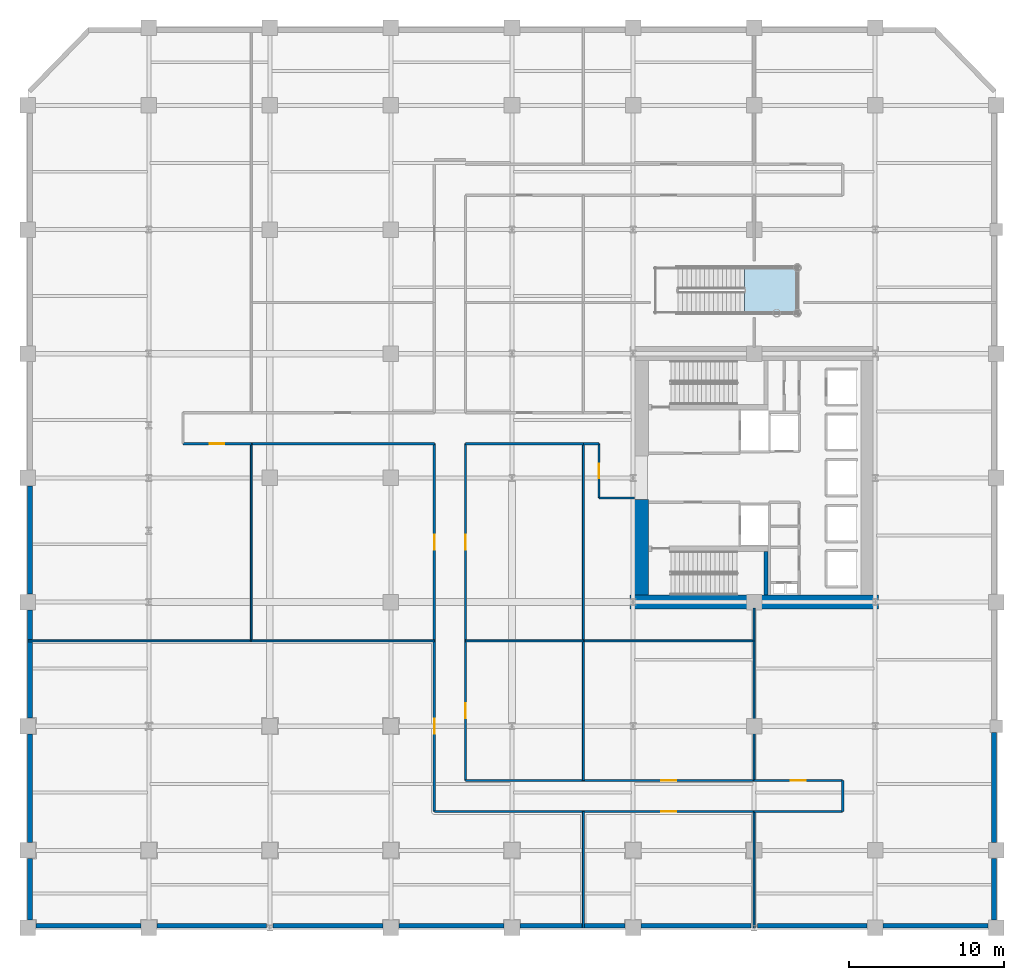
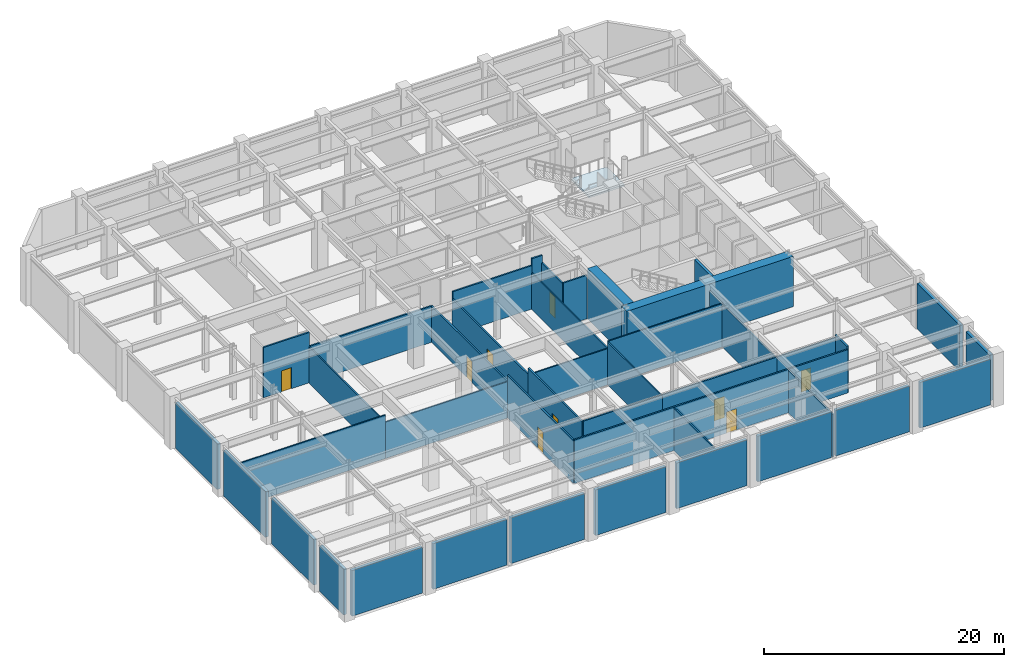
# One storey, part 7 of 12: 45 walls, 9 doors, 1 slab, 9 openings, 1 element without a shape of its own.
"""IFC4 building model written with IfcOpenShell, lengths in metres."""

from ifc_helpers import new_model, si_unit, direction, frame, frame_2d, origin, place, context, subcontext, project, spatial, polyline, rectangle, outline, extrude, material, layer, layer_set, type_object, element, fill, aggregate, save


model = new_model("IFC4")

# Units and contexts
model_context = context("Model", 3, precision=1e-05, world=origin(), true_north=direction((0.0, 1.0)))
body_context = subcontext(model_context, "Body", "Model", "MODEL_VIEW")
ifc_project = project(units=[si_unit("LENGTHUNIT", "METRE"), si_unit("AREAUNIT", "SQUARE_METRE"), si_unit("VOLUMEUNIT", "CUBIC_METRE"), si_unit("PLANEANGLEUNIT", "RADIAN"), si_unit("MASSUNIT", "GRAM", prefix="KILO")], contexts=[model_context])

# Site, building, storey
site_placement = place(None, origin())
site = spatial("IfcSite", under=ifc_project, at=site_placement, CompositionType="ELEMENT")
building_placement = place(site_placement, origin())
building = spatial("IfcBuilding", under=site, at=building_placement, Name="Veymaron Broadcast Tower", CompositionType="ELEMENT")
storey_placement = place(building_placement, frame((0.0, 0.0, 10.800048828125)))
storey = spatial("IfcBuildingStorey", under=building, at=storey_placement, Name="L02", CompositionType="ELEMENT", Elevation=10.800048828125)

# Stair, slab
ifc_material_1 = material(Name="Structural steel ASTM A992 Gr 50", Category="steel")
stair_type = type_object("IfcStairType", Name="STAIR-FEAT-01", PredefinedType="HALF_TURN_STAIR", material=ifc_material_1)
stair_placement = place(storey_placement, origin())
stair = element("IfcStair", 1, at=stair_placement, inside=storey, type_object=stair_type, Name="L02 Waterfront concourse monumental feature stair STF1", PredefinedType="HALF_TURN_STAIR")
ifc_material_2 = material(Name="Concrete C50/60", Category="concrete")
ifc_layer_1 = layer(ifc_material_2, 0.199951171875)
ifc_layer_set_1 = layer_set([ifc_layer_1], Name="Concrete C50/60")
slab_type = type_object("IfcSlabType", Name="SLAB-STAIR-LDG", PredefinedType="LANDING", material=ifc_layer_set_1)
slab_placement = place(storey_placement, frame((0.0, 0.0, 2.5)))
slab = element("IfcSlab", 2, at=slab_placement, type_object=slab_type, Name="STF1 landing 1", PredefinedType="LANDING", context=body_context, shape_type="SweptSolid", body=[
    extrude(outline(polyline([(46.175048828125, 34.60009765625), (49.60009765625, 34.60009765625), (49.60009765625, 37.56005859375), (46.175048828125, 37.56005859375), (46.175048828125, 34.60009765625)])), origin(), (0.0, 0.0, 1.0), 0.199951171875),
])
aggregate(stair, [slab])

# Walls
ifc_material_3 = material(Name="Precast concrete C40/50 with mineral-wool insulation", Category="concrete")
ifc_layer_2 = layer(ifc_material_3, 0.300048828125)
ifc_layer_set_2 = layer_set([ifc_layer_2], Name="Precast concrete C40/50 with mineral-wool insulation")
wall_type_1 = type_object("IfcWallType", Name="WALL-EXT-300", PredefinedType="STANDARD", material=ifc_layer_set_2)
wall_1_placement = place(storey_placement, frame((0.51806640625, -4.860107421875, 0.0), z_axis=(0.0, 0.0, 1.0), x_axis=(1.0, 0.0, 0.0)))
element("IfcWall", 3, at=wall_1_placement, inside=storey, type_object=wall_type_1, Name="L02 notched corner facade pier 1-1", PredefinedType="STANDARD", context=body_context, shape_type="SweptSolid", body=[
    extrude(rectangle(XDim=6.763916015625, YDim=0.300048828125, at=frame_2d((3.3818359375, 0.0))), origin(), (0.0, 0.0, 1.0), 4.64794921875),
])
wall_2_placement = place(storey_placement, frame((8.318115234375, -4.860107421875, 0.0), z_axis=(0.0, 0.0, 1.0), x_axis=(1.0, 0.0, 0.0)))
element("IfcWall", 4, at=wall_2_placement, inside=storey, type_object=wall_type_1, Name="L02 notched corner facade pier 1-2", PredefinedType="STANDARD", context=body_context, shape_type="SweptSolid", body=[
    extrude(rectangle(XDim=7.078857421875, YDim=0.300048828125, at=frame_2d((3.53955078125, 0.0))), origin(), (0.0, 0.0, 1.0), 4.64794921875),
])
wall_3_placement = place(storey_placement, frame((15.802978515625, -4.860107421875, 0.0), z_axis=(0.0, 0.0, 1.0), x_axis=(1.0, 0.0, 0.0)))
element("IfcWall", 5, at=wall_3_placement, inside=storey, type_object=wall_type_1, Name="L02 notched corner facade pier 1-3", PredefinedType="STANDARD", context=body_context, shape_type="SweptSolid", body=[
    extrude(rectangle(XDim=7.0791015625, YDim=0.300048828125, at=frame_2d((3.53955078125, 0.0))), origin(), (0.0, 0.0, 1.0), 4.64794921875),
])
for number, where, z_axis, x_axis, name in (
    (6, (23.91796875, -4.860107421875, 0.0), (0.0, 0.0, 1.0), (1.0, 0.0, 0.0), "L02 notched corner facade pier 1-4"),
    (7, (31.718017578125, -4.860107421875, 0.0), (0.0, 0.0, 1.0), (1.0, 0.0, 0.0), "L02 notched corner facade pier 1-5"),
):
    element("IfcWall", number, at=place(storey_placement, frame(where, z_axis=z_axis, x_axis=x_axis)), inside=storey, type_object=wall_type_1, Name=name, PredefinedType="STANDARD", context=body_context, shape_type="SweptSolid", body=[
        extrude(rectangle(XDim=6.763916015625, YDim=0.300048828125, at=frame_2d((3.3818359375, 0.0))), origin(), (0.0, 0.0, 1.0), 4.64794921875),
    ])
wall_4_placement = place(storey_placement, frame((39.51806640625, -4.860107421875, 0.0), z_axis=(0.0, 0.0, 1.0), x_axis=(1.0, 0.0, 0.0)))
element("IfcWall", 8, at=wall_4_placement, inside=storey, type_object=wall_type_1, Name="L02 notched corner facade pier 1-6", PredefinedType="STANDARD", context=body_context, shape_type="SweptSolid", body=[
    extrude(rectangle(XDim=7.078857421875, YDim=0.300048828125, at=frame_2d((3.53955078125, 0.0))), origin(), (0.0, 0.0, 1.0), 4.64794921875),
])
wall_5_placement = place(storey_placement, frame((47.0029296875, -4.860107421875, 0.0), z_axis=(0.0, 0.0, 1.0), x_axis=(1.0, 0.0, 0.0)))
element("IfcWall", 9, at=wall_5_placement, inside=storey, type_object=wall_type_1, Name="L02 notched corner facade pier 1-7", PredefinedType="STANDARD", context=body_context, shape_type="SweptSolid", body=[
    extrude(rectangle(XDim=7.0791015625, YDim=0.300048828125, at=frame_2d((3.53955078125, 0.0))), origin(), (0.0, 0.0, 1.0), 4.64794921875),
])
wall_6_placement = place(storey_placement, frame((55.117919921875, -4.860107421875, 0.0), z_axis=(0.0, 0.0, 1.0), x_axis=(1.0, 0.0, 0.0)))
element("IfcWall", 10, at=wall_6_placement, inside=storey, type_object=wall_type_1, Name="L02 notched corner facade pier 1-8", PredefinedType="STANDARD", context=body_context, shape_type="SweptSolid", body=[
    extrude(rectangle(XDim=6.76416015625, YDim=0.300048828125, at=frame_2d((3.382080078125, 0.0))), origin(), (0.0, 0.0, 1.0), 4.64794921875),
])
wall_7_placement = place(storey_placement, frame((62.260009765625, -4.48193359375, 0.0), z_axis=(0.0, 0.0, 1.0), x_axis=(0.0, 1.0, 0.0)))
element("IfcWall", 11, at=wall_7_placement, inside=storey, type_object=wall_type_1, Name="L02 notched corner facade pier 2-1", PredefinedType="STANDARD", context=body_context, shape_type="SweptSolid", body=[
    extrude(rectangle(XDim=3.9638671875, YDim=0.300048828125, at=frame_2d((1.98193359375, 0.0))), origin(), (0.0, 0.0, 1.0), 4.64794921875),
])
wall_8_placement = place(storey_placement, frame((62.260009765625, 0.51806640625, 0.0), z_axis=(0.0, 0.0, 1.0), x_axis=(0.0, 1.0, 0.0)))
element("IfcWall", 12, at=wall_8_placement, inside=storey, type_object=wall_type_1, Name="L02 notched corner facade pier 2-2", PredefinedType="STANDARD", context=body_context, shape_type="SweptSolid", body=[
    extrude(rectangle(XDim=7.06396484375, YDim=0.300048828125, at=frame_2d((3.531982421875, 0.0))), origin(), (0.0, 0.0, 1.0), 4.64794921875),
])
for number, where, z_axis, x_axis, name in (
    (13, (0.139892578125, 23.48193359375, 0.0), (0.0, 0.0, 1.0), (0.0, -1.0, 0.0), "L02 notched corner facade pier 6-4"),
    (14, (0.139892578125, 15.48193359375, 0.0), (0.0, 0.0, 1.0), (0.0, -1.0, 0.0), "L02 notched corner facade pier 6-5"),
    (15, (0.139892578125, 7.48193359375, 0.0), (0.0, 0.0, 1.0), (0.0, -1.0, 0.0), "L02 notched corner facade pier 6-6"),
):
    element("IfcWall", number, at=place(storey_placement, frame(where, z_axis=z_axis, x_axis=x_axis)), inside=storey, type_object=wall_type_1, Name=name, PredefinedType="STANDARD", context=body_context, shape_type="SweptSolid", body=[
        extrude(rectangle(XDim=6.9638671875, YDim=0.300048828125, at=frame_2d((3.48193359375, 0.0))), origin(), (0.0, 0.0, 1.0), 4.64794921875),
    ])
wall_9_placement = place(storey_placement, frame((0.139892578125, -0.51806640625, 0.0), z_axis=(0.0, 0.0, 1.0), x_axis=(0.0, -1.0, 0.0)))
element("IfcWall", 16, at=wall_9_placement, inside=storey, type_object=wall_type_1, Name="L02 notched corner facade pier 6-7", PredefinedType="STANDARD", context=body_context, shape_type="SweptSolid", body=[
    extrude(rectangle(XDim=3.9638671875, YDim=0.300048828125, at=frame_2d((1.98193359375, 0.0))), origin(), (0.0, 0.0, 1.0), 4.64794921875),
])

# Wall, opening, door
ifc_material_4 = material(Name="Gypsum fireboard and steel stud framing", Category="steel")
ifc_layer_3 = layer(ifc_material_4, 0.14990234375)
ifc_layer_set_3 = layer_set([ifc_layer_3], Name="Gypsum fireboard and steel stud framing")
wall_type_2 = type_object("IfcWallType", Name="WALL-FIRE-150", PredefinedType="PARTITIONING", material=ifc_layer_set_3)
wall_10_placement = place(storey_placement, frame((35.800048828125, 2.5, 0.0), z_axis=(0.0, 0.0, 1.0), x_axis=(1.0, 0.0, 0.0)))
wall_10 = element("IfcWall", 17, at=wall_10_placement, inside=storey, type_object=wall_type_2, Name="L02 partition IW-L02-P01", PredefinedType="PARTITIONING", context=body_context, shape_type="SweptSolid", body=[
    extrude(rectangle(XDim=11.0, YDim=0.14990234375, at=frame_2d((5.5, 0.0))), origin(), (0.0, 0.0, 1.0), 4.4150390625),
])
opening_1_placement = place(wall_10_placement, frame((5.02490234375, 0.0, 0.0)))
opening_1 = element("IfcOpeningElement", 18, at=opening_1_placement, cuts=wall_10, Name="Opening ID-RM1", PredefinedType="OPENING", context=body_context, shape_type="SweptSolid", body=[
    extrude(rectangle(XDim=0.949951171875, YDim=2.14990234375, at=frame_2d((0.47509765625, 1.074951171875))), frame((0.0, 0.0849609375, 0.0), z_axis=(0.0, -1.0, 0.0), x_axis=(1.0, 0.0, 0.0)), (0.0, 0.0, 1.0), 0.169921875),
])
ifc_material_5 = material(Name="Acoustic solid-core European oak veneer timber", Category="wood")
door_type = type_object("IfcDoorType", Name="DOOR-INT-950", OperationType="NOTDEFINED", PredefinedType="DOOR", material=ifc_material_5)
door_1_placement = place(opening_1_placement, frame((0.949951171875, 0.0, 0.0), z_axis=(0.0, 0.0, 1.0), x_axis=(-1.0, 0.0, 0.0)))
door_1 = element("IfcDoor", 19, at=door_1_placement, inside=storey, type_object=door_type, Name="L02 door DR-L02-P01", OperationType="SINGLE_SWING_RIGHT", OverallHeight=2.14990234375, OverallWidth=0.949951171875, PredefinedType="DOOR", context=body_context, shape_type="SweptSolid", body=[
    extrude(rectangle(XDim=0.949951171875, YDim=2.14990234375, at=frame_2d((0.47509765625, 1.074951171875))), frame((0.0, 0.02490234375, 0.0), z_axis=(0.0, -1.0, 0.0), x_axis=(1.0, 0.0, 0.0)), (0.0, 0.0, 1.0), 0.050048828125),
])
fill(opening_1, door_1)

wall_11_placement = place(storey_placement, frame((26.199951171875, 2.5, 0.0), z_axis=(0.0, 0.0, 1.0), x_axis=(0.0, 1.0, 0.0)))
wall_11 = element("IfcWall", 20, at=wall_11_placement, inside=storey, type_object=wall_type_2, Name="L02 partition IW-L02-P02", PredefinedType="PARTITIONING", context=body_context, shape_type="SweptSolid", body=[
    extrude(rectangle(XDim=11.0, YDim=0.14990234375, at=frame_2d((5.5, 0.0))), origin(), (0.0, 0.0, 1.0), 4.337890625),
])
opening_2_placement = place(wall_11_placement, frame((5.02490234375, 0.0, 0.0)))
opening_2 = element("IfcOpeningElement", 21, at=opening_2_placement, cuts=wall_11, Name="Opening ID-RM1", PredefinedType="OPENING", context=body_context, shape_type="SweptSolid", body=[
    extrude(rectangle(XDim=0.949951171875, YDim=2.14990234375, at=frame_2d((0.47509765625, 1.074951171875))), frame((0.0, 0.0849609375, 0.0), z_axis=(0.0, -1.0, 0.0), x_axis=(1.0, 0.0, 0.0)), (0.0, 0.0, 1.0), 0.169921875),
])
door_2_placement = place(opening_2_placement, origin())
door_2 = element("IfcDoor", 22, at=door_2_placement, inside=storey, type_object=door_type, Name="L02 door DR-L02-P02", OperationType="SINGLE_SWING_LEFT", OverallHeight=2.14990234375, OverallWidth=0.949951171875, PredefinedType="DOOR", context=body_context, shape_type="SweptSolid", body=[
    extrude(rectangle(XDim=0.949951171875, YDim=2.14990234375, at=frame_2d((0.47509765625, 1.074951171875))), frame((0.0, 0.02490234375, 0.0), z_axis=(0.0, -1.0, 0.0), x_axis=(1.0, 0.0, 0.0)), (0.0, 0.0, 1.0), 0.050048828125),
])
fill(opening_2, door_2)

wall_12_placement = place(storey_placement, frame((28.199951171875, 4.5, 0.0), z_axis=(0.0, 0.0, 1.0), x_axis=(0.0, 1.0, 0.0)))
wall_12 = element("IfcWall", 23, at=wall_12_placement, inside=storey, type_object=wall_type_2, Name="L02 partition IW-L02-P04", PredefinedType="PARTITIONING", context=body_context, shape_type="SweptSolid", body=[
    extrude(rectangle(XDim=9.0, YDim=0.14990234375, at=frame_2d((4.5, 0.0))), origin(), (0.0, 0.0, 1.0), 4.337890625),
])
opening_3_placement = place(wall_12_placement, frame((4.02490234375, 0.0, 0.0)))
opening_3 = element("IfcOpeningElement", 24, at=opening_3_placement, cuts=wall_12, Name="Opening ID-RM1", PredefinedType="OPENING", context=body_context, shape_type="SweptSolid", body=[
    extrude(rectangle(XDim=0.949951171875, YDim=2.14990234375, at=frame_2d((0.47509765625, 1.074951171875))), frame((0.0, 0.0849609375, 0.0), z_axis=(0.0, -1.0, 0.0), x_axis=(1.0, 0.0, 0.0)), (0.0, 0.0, 1.0), 0.169921875),
])
door_3_placement = place(opening_3_placement, frame((0.949951171875, 0.0, 0.0), z_axis=(0.0, 0.0, 1.0), x_axis=(-1.0, 0.0, 0.0)))
door_3 = element("IfcDoor", 25, at=door_3_placement, inside=storey, type_object=door_type, Name="L02 door DR-L02-P04", OperationType="SINGLE_SWING_LEFT", OverallHeight=2.14990234375, OverallWidth=0.949951171875, PredefinedType="DOOR", context=body_context, shape_type="SweptSolid", body=[
    extrude(rectangle(XDim=0.949951171875, YDim=2.14990234375, at=frame_2d((0.47509765625, 1.074951171875))), frame((0.0, 0.02490234375, 0.0), z_axis=(0.0, -1.0, 0.0), x_axis=(1.0, 0.0, 0.0)), (0.0, 0.0, 1.0), 0.050048828125),
])
fill(opening_3, door_3)

wall_13_placement = place(storey_placement, frame((35.800048828125, 4.5, 0.0), z_axis=(0.0, 0.0, 1.0), x_axis=(1.0, 0.0, 0.0)))
wall_13 = element("IfcWall", 26, at=wall_13_placement, inside=storey, type_object=wall_type_2, Name="L02 partition IW-L02-P06", PredefinedType="PARTITIONING", context=body_context, shape_type="SweptSolid", body=[
    extrude(rectangle(XDim=11.0, YDim=0.14990234375, at=frame_2d((5.5, 0.0))), origin(), (0.0, 0.0, 1.0), 4.4150390625),
])
opening_4_placement = place(wall_13_placement, frame((5.02490234375, 0.0, 0.0)))
opening_4 = element("IfcOpeningElement", 27, at=opening_4_placement, cuts=wall_13, Name="Opening ID-RM1", PredefinedType="OPENING", context=body_context, shape_type="SweptSolid", body=[
    extrude(rectangle(XDim=0.949951171875, YDim=2.14990234375, at=frame_2d((0.47509765625, 1.074951171875))), frame((0.0, 0.0849609375, 0.0), z_axis=(0.0, -1.0, 0.0), x_axis=(1.0, 0.0, 0.0)), (0.0, 0.0, 1.0), 0.169921875),
])
door_4_placement = place(opening_4_placement, origin())
door_4 = element("IfcDoor", 28, at=door_4_placement, inside=storey, type_object=door_type, Name="L02 door DR-L02-P06", OperationType="SINGLE_SWING_LEFT", OverallHeight=2.14990234375, OverallWidth=0.949951171875, PredefinedType="DOOR", context=body_context, shape_type="SweptSolid", body=[
    extrude(rectangle(XDim=0.949951171875, YDim=2.14990234375, at=frame_2d((0.47509765625, 1.074951171875))), frame((0.0, 0.02490234375, 0.0), z_axis=(0.0, -1.0, 0.0), x_axis=(1.0, 0.0, 0.0)), (0.0, 0.0, 1.0), 0.050048828125),
])
fill(opening_4, door_4)

wall_14_placement = place(storey_placement, frame((46.800048828125, 4.5, 0.0), z_axis=(0.0, 0.0, 1.0), x_axis=(1.0, 0.0, 0.0)))
wall_14 = element("IfcWall", 29, at=wall_14_placement, inside=storey, type_object=wall_type_2, Name="L02 partition IW-L02-P07", PredefinedType="PARTITIONING", context=body_context, shape_type="SweptSolid", body=[
    extrude(rectangle(XDim=5.699951171875, YDim=0.14990234375, at=frame_2d((2.85009765625, 0.0))), origin(), (0.0, 0.0, 1.0), 4.4150390625),
])
opening_5_placement = place(wall_14_placement, frame((2.375, 0.0, 0.0)))
opening_5 = element("IfcOpeningElement", 30, at=opening_5_placement, cuts=wall_14, Name="Opening ID-RM1", PredefinedType="OPENING", context=body_context, shape_type="SweptSolid", body=[
    extrude(rectangle(XDim=0.949951171875, YDim=2.14990234375, at=frame_2d((0.47509765625, 1.074951171875))), frame((0.0, 0.0849609375, 0.0), z_axis=(0.0, -1.0, 0.0), x_axis=(1.0, 0.0, 0.0)), (0.0, 0.0, 1.0), 0.169921875),
])
door_5_placement = place(opening_5_placement, origin())
door_5 = element("IfcDoor", 31, at=door_5_placement, inside=storey, type_object=door_type, Name="L02 door DR-L02-P07", OperationType="SINGLE_SWING_RIGHT", OverallHeight=2.14990234375, OverallWidth=0.949951171875, PredefinedType="DOOR", context=body_context, shape_type="SweptSolid", body=[
    extrude(rectangle(XDim=0.949951171875, YDim=2.14990234375, at=frame_2d((0.47509765625, 1.074951171875))), frame((0.0, 0.02490234375, 0.0), z_axis=(0.0, -1.0, 0.0), x_axis=(1.0, 0.0, 0.0)), (0.0, 0.0, 1.0), 0.050048828125),
])
fill(opening_5, door_5)

wall_15_placement = place(storey_placement, frame((36.800048828125, 22.699951171875, 0.0), z_axis=(0.0, 0.0, 1.0), x_axis=(0.0, 1.0, 0.0)))
wall_15 = element("IfcWall", 32, at=wall_15_placement, inside=storey, type_object=wall_type_2, Name="L02 partition IW-L02-P10", PredefinedType="PARTITIONING", context=body_context, shape_type="SweptSolid", body=[
    extrude(rectangle(XDim=3.5, YDim=0.14990234375, at=frame_2d((1.75, 0.0))), origin(), (0.0, 0.0, 1.0), 4.337890625),
])
opening_6_placement = place(wall_15_placement, frame((1.27490234375, 0.0, 0.0)))
opening_6 = element("IfcOpeningElement", 33, at=opening_6_placement, cuts=wall_15, Name="Opening ID-RM1", PredefinedType="OPENING", context=body_context, shape_type="SweptSolid", body=[
    extrude(rectangle(XDim=0.949951171875, YDim=2.14990234375, at=frame_2d((0.47509765625, 1.074951171875))), frame((0.0, 0.0849609375, 0.0), z_axis=(0.0, -1.0, 0.0), x_axis=(1.0, 0.0, 0.0)), (0.0, 0.0, 1.0), 0.169921875),
])
door_6_placement = place(opening_6_placement, origin())
door_6 = element("IfcDoor", 34, at=door_6_placement, inside=storey, type_object=door_type, Name="L02 door DR-L02-P10", OperationType="SINGLE_SWING_LEFT", OverallHeight=2.14990234375, OverallWidth=0.949951171875, PredefinedType="DOOR", context=body_context, shape_type="SweptSolid", body=[
    extrude(rectangle(XDim=0.949951171875, YDim=2.14990234375, at=frame_2d((0.47509765625, 1.074951171875))), frame((0.0, 0.02490234375, 0.0), z_axis=(0.0, -1.0, 0.0), x_axis=(1.0, 0.0, 0.0)), (0.0, 0.0, 1.0), 0.050048828125),
])
fill(opening_6, door_6)

wall_16_placement = place(storey_placement, frame((26.199951171875, 13.5, 0.0), z_axis=(0.0, 0.0, 1.0), x_axis=(0.0, 1.0, 0.0)))
wall_16 = element("IfcWall", 35, at=wall_16_placement, inside=storey, type_object=wall_type_2, Name="L02 partition IW-L02-P13", PredefinedType="PARTITIONING", context=body_context, shape_type="SweptSolid", body=[
    extrude(rectangle(XDim=12.699951171875, YDim=0.14990234375, at=frame_2d((6.35009765625, 0.0))), origin(), (0.0, 0.0, 1.0), 3.68798828125),
])
opening_7_placement = place(wall_16_placement, frame((5.875, 0.0, 0.0)))
opening_7 = element("IfcOpeningElement", 36, at=opening_7_placement, cuts=wall_16, Name="Opening ID-RM1", PredefinedType="OPENING", context=body_context, shape_type="SweptSolid", body=[
    extrude(rectangle(XDim=0.949951171875, YDim=2.14990234375, at=frame_2d((0.47509765625, 1.074951171875))), frame((0.0, 0.0849609375, 0.0), z_axis=(0.0, -1.0, 0.0), x_axis=(1.0, 0.0, 0.0)), (0.0, 0.0, 1.0), 0.169921875),
])
door_7_placement = place(opening_7_placement, origin())
door_7 = element("IfcDoor", 37, at=door_7_placement, inside=storey, type_object=door_type, Name="L02 door DR-L02-P13", OperationType="SINGLE_SWING_RIGHT", OverallHeight=2.14990234375, OverallWidth=0.949951171875, PredefinedType="DOOR", context=body_context, shape_type="SweptSolid", body=[
    extrude(rectangle(XDim=0.949951171875, YDim=2.14990234375, at=frame_2d((0.47509765625, 1.074951171875))), frame((0.0, 0.02490234375, 0.0), z_axis=(0.0, -1.0, 0.0), x_axis=(1.0, 0.0, 0.0)), (0.0, 0.0, 1.0), 0.050048828125),
])
fill(opening_7, door_7)

wall_17_placement = place(storey_placement, frame((28.199951171875, 13.5, 0.0), z_axis=(0.0, 0.0, 1.0), x_axis=(0.0, 1.0, 0.0)))
wall_17 = element("IfcWall", 38, at=wall_17_placement, inside=storey, type_object=wall_type_2, Name="L02 partition IW-L02-P15", PredefinedType="PARTITIONING", context=body_context, shape_type="SweptSolid", body=[
    extrude(rectangle(XDim=12.699951171875, YDim=0.14990234375, at=frame_2d((6.35009765625, 0.0))), origin(), (0.0, 0.0, 1.0), 3.68798828125),
])
opening_8_placement = place(wall_17_placement, frame((5.875, 0.0, 0.0)))
opening_8 = element("IfcOpeningElement", 39, at=opening_8_placement, cuts=wall_17, Name="Opening ID-RM1", PredefinedType="OPENING", context=body_context, shape_type="SweptSolid", body=[
    extrude(rectangle(XDim=0.949951171875, YDim=2.14990234375, at=frame_2d((0.47509765625, 1.074951171875))), frame((0.0, 0.0849609375, 0.0), z_axis=(0.0, -1.0, 0.0), x_axis=(1.0, 0.0, 0.0)), (0.0, 0.0, 1.0), 0.169921875),
])
door_8_placement = place(opening_8_placement, frame((0.949951171875, 0.0, 0.0), z_axis=(0.0, 0.0, 1.0), x_axis=(-1.0, 0.0, 0.0)))
door_8 = element("IfcDoor", 40, at=door_8_placement, inside=storey, type_object=door_type, Name="L02 door DR-L02-P15", OperationType="SINGLE_SWING_RIGHT", OverallHeight=2.14990234375, OverallWidth=0.949951171875, PredefinedType="DOOR", context=body_context, shape_type="SweptSolid", body=[
    extrude(rectangle(XDim=0.949951171875, YDim=2.14990234375, at=frame_2d((0.47509765625, 1.074951171875))), frame((0.0, 0.02490234375, 0.0), z_axis=(0.0, -1.0, 0.0), x_axis=(1.0, 0.0, 0.0)), (0.0, 0.0, 1.0), 0.050048828125),
])
fill(opening_8, door_8)

wall_18_placement = place(storey_placement, frame((10.0, 26.199951171875, 0.0), z_axis=(0.0, 0.0, 1.0), x_axis=(1.0, 0.0, 0.0)))
wall_18 = element("IfcWall", 41, at=wall_18_placement, inside=storey, type_object=wall_type_2, Name="L02 partition IW-L02-P22", PredefinedType="PARTITIONING", context=body_context, shape_type="SweptSolid", body=[
    extrude(rectangle(XDim=4.39990234375, YDim=0.14990234375, at=frame_2d((2.199951171875, 0.0))), origin(), (0.0, 0.0, 1.0), 5.119873046875),
])
opening_9_placement = place(wall_18_placement, frame((1.72509765625, 0.0, 0.0)))
opening_9 = element("IfcOpeningElement", 42, at=opening_9_placement, cuts=wall_18, Name="Opening ID-RM1", PredefinedType="OPENING", context=body_context, shape_type="SweptSolid", body=[
    extrude(rectangle(XDim=0.949951171875, YDim=2.14990234375, at=frame_2d((0.47509765625, 1.074951171875))), frame((0.0, 0.0849609375, 0.0), z_axis=(0.0, -1.0, 0.0), x_axis=(1.0, 0.0, 0.0)), (0.0, 0.0, 1.0), 0.169921875),
])
door_9_placement = place(opening_9_placement, frame((0.949951171875, 0.0, 0.0), z_axis=(0.0, 0.0, 1.0), x_axis=(-1.0, 0.0, 0.0)))
door_9 = element("IfcDoor", 43, at=door_9_placement, inside=storey, type_object=door_type, Name="L02 door DR-L02-P22", OperationType="SINGLE_SWING_LEFT", OverallHeight=2.14990234375, OverallWidth=0.949951171875, PredefinedType="DOOR", context=body_context, shape_type="SweptSolid", body=[
    extrude(rectangle(XDim=0.949951171875, YDim=2.14990234375, at=frame_2d((0.47509765625, 1.074951171875))), frame((0.0, 0.02490234375, 0.0), z_axis=(0.0, -1.0, 0.0), x_axis=(1.0, 0.0, 0.0)), (0.0, 0.0, 1.0), 0.050048828125),
])
fill(opening_9, door_9)

# Walls
wall_19_placement = place(storey_placement, frame((26.199951171875, 2.5, 0.0), z_axis=(0.0, 0.0, 1.0), x_axis=(1.0, 0.0, 0.0)))
element("IfcWall", 44, at=wall_19_placement, inside=storey, type_object=wall_type_2, Name="L02 partition IW-L02-P03", PredefinedType="PARTITIONING", context=body_context, shape_type="SweptSolid", body=[
    extrude(rectangle(XDim=9.60009765625, YDim=0.14990234375, at=frame_2d((4.800048828125, 0.0))), origin(), (0.0, 0.0, 1.0), 4.4150390625),
])
wall_20_placement = place(storey_placement, frame((28.199951171875, 4.5, 0.0), z_axis=(0.0, 0.0, 1.0), x_axis=(1.0, 0.0, 0.0)))
element("IfcWall", 45, at=wall_20_placement, inside=storey, type_object=wall_type_2, Name="L02 partition IW-L02-P05", PredefinedType="PARTITIONING", context=body_context, shape_type="SweptSolid", body=[
    extrude(rectangle(XDim=7.60009765625, YDim=0.14990234375, at=frame_2d((3.800048828125, 0.0))), origin(), (0.0, 0.0, 1.0), 4.4150390625),
])
wall_21_placement = place(storey_placement, frame((46.800048828125, 2.5, 0.0), z_axis=(0.0, 0.0, 1.0), x_axis=(1.0, 0.0, 0.0)))
element("IfcWall", 46, at=wall_21_placement, inside=storey, type_object=wall_type_2, Name="L02 partition IW-L02-P08", PredefinedType="PARTITIONING", context=body_context, shape_type="SweptSolid", body=[
    extrude(rectangle(XDim=5.699951171875, YDim=0.14990234375, at=frame_2d((2.85009765625, 0.0))), origin(), (0.0, 0.0, 1.0), 4.4150390625),
])
wall_22_placement = place(storey_placement, frame((52.5, 2.5, 0.0), z_axis=(0.0, 0.0, 1.0), x_axis=(0.0, 1.0, 0.0)))
element("IfcWall", 47, at=wall_22_placement, inside=storey, type_object=wall_type_2, Name="L02 partition IW-L02-P09", PredefinedType="PARTITIONING", context=body_context, shape_type="SweptSolid", body=[
    extrude(rectangle(XDim=2.0, YDim=0.14990234375, at=frame_2d((1.0, 0.0))), origin(), (0.0, 0.0, 1.0), 4.700927734375),
])
wall_23_placement = place(storey_placement, frame((36.800048828125, 22.699951171875, 0.0), z_axis=(0.0, 0.0, 1.0), x_axis=(1.0, 0.0, 0.0)))
element("IfcWall", 48, at=wall_23_placement, inside=storey, type_object=wall_type_2, Name="L02 partition IW-L02-P11", PredefinedType="PARTITIONING", context=body_context, shape_type="SweptSolid", body=[
    extrude(rectangle(XDim=2.280029296875, YDim=0.14990234375, at=frame_2d((1.14013671875, 0.0))), origin(), (0.0, 0.0, 1.0), 4.4150390625),
])
wall_24_placement = place(storey_placement, frame((35.800048828125, 26.199951171875, 0.0), z_axis=(0.0, 0.0, 1.0), x_axis=(1.0, 0.0, 0.0)))
element("IfcWall", 49, at=wall_24_placement, inside=storey, type_object=wall_type_2, Name="L02 partition IW-L02-P12", PredefinedType="PARTITIONING", context=body_context, shape_type="SweptSolid", body=[
    extrude(rectangle(XDim=1.0, YDim=0.14990234375, at=frame_2d((0.5, 0.0))), origin(), (0.0, 0.0, 1.0), 5.119873046875),
])
wall_25_placement = place(storey_placement, frame((14.39990234375, 26.199951171875, 0.0), z_axis=(0.0, 0.0, 1.0), x_axis=(1.0, 0.0, 0.0)))
element("IfcWall", 50, at=wall_25_placement, inside=storey, type_object=wall_type_2, Name="L02 partition IW-L02-P14", PredefinedType="PARTITIONING", context=body_context, shape_type="SweptSolid", body=[
    extrude(rectangle(XDim=11.800048828125, YDim=0.14990234375, at=frame_2d((5.89990234375, 0.0))), origin(), (0.0, 0.0, 1.0), 3.68798828125),
])
wall_26_placement = place(storey_placement, frame((28.199951171875, 26.199951171875, 0.0), z_axis=(0.0, 0.0, 1.0), x_axis=(1.0, 0.0, 0.0)))
element("IfcWall", 51, at=wall_26_placement, inside=storey, type_object=wall_type_2, Name="L02 partition IW-L02-P16", PredefinedType="PARTITIONING", context=body_context, shape_type="SweptSolid", body=[
    extrude(rectangle(XDim=7.60009765625, YDim=0.14990234375, at=frame_2d((3.800048828125, 0.0))), origin(), (0.0, 0.0, 1.0), 4.4150390625),
])
ifc_material_6 = material(Name="Acoustic gypsum board and galvanized stud", Category="gypsum")
ifc_layer_4 = layer(ifc_material_6, 0.1201171875)
ifc_layer_set_4 = layer_set([ifc_layer_4], Name="Acoustic gypsum board and galvanized stud")
wall_type_3 = type_object("IfcWallType", Name="WALL-PART-120", PredefinedType="PARTITIONING", material=ifc_layer_set_4)
for number, where, z_axis, x_axis, name in (
    (52, (35.800048828125, -5.0, 0.0), (0.0, 0.0, 1.0), (0.0, 1.0, 0.0), "L02 partition IW-L02-P35"),
    (53, (46.800048828125, -5.0, 0.0), (0.0, 0.0, 1.0), (0.0, 1.0, 0.0), "L02 partition IW-L02-P36"),
):
    element("IfcWall", number, at=place(storey_placement, frame(where, z_axis=z_axis, x_axis=x_axis)), inside=storey, type_object=wall_type_3, Name=name, PredefinedType="PARTITIONING", context=body_context, shape_type="SweptSolid", body=[
        extrude(rectangle(XDim=7.5, YDim=0.1201171875, at=frame_2d((3.75, 0.0))), origin(), (0.0, 0.0, 1.0), 4.337890625),
    ])
wall_27_placement = place(storey_placement, frame((14.39990234375, 13.5, 0.0), z_axis=(0.0, 0.0, 1.0), x_axis=(1.0, 0.0, 0.0)))
element("IfcWall", 54, at=wall_27_placement, inside=storey, type_object=wall_type_3, Name="L02 partition IW-L02-P37", PredefinedType="PARTITIONING", context=body_context, shape_type="SweptSolid", body=[
    extrude(rectangle(XDim=11.800048828125, YDim=0.1201171875, at=frame_2d((5.89990234375, 0.0))), origin(), (0.0, 0.0, 1.0), 3.68798828125),
])
wall_28_placement = place(storey_placement, frame((0.0, 13.5, 0.0), z_axis=(0.0, 0.0, 1.0), x_axis=(1.0, 0.0, 0.0)))
element("IfcWall", 55, at=wall_28_placement, inside=storey, type_object=wall_type_3, Name="L02 partition IW-L02-P38", PredefinedType="PARTITIONING", context=body_context, shape_type="SweptSolid", body=[
    extrude(rectangle(XDim=14.39990234375, YDim=0.1201171875, at=frame_2d((7.199951171875, 0.0))), origin(), (0.0, 0.0, 1.0), 4.4150390625),
])
wall_29_placement = place(storey_placement, frame((35.800048828125, 4.5, 0.0), z_axis=(0.0, 0.0, 1.0), x_axis=(0.0, 1.0, 0.0)))
element("IfcWall", 56, at=wall_29_placement, inside=storey, type_object=wall_type_3, Name="L02 partition IW-L02-P39", PredefinedType="PARTITIONING", context=body_context, shape_type="SweptSolid", body=[
    extrude(rectangle(XDim=9.0, YDim=0.1201171875, at=frame_2d((4.5, 0.0))), origin(), (0.0, 0.0, 1.0), 4.337890625),
])
wall_30_placement = place(storey_placement, frame((28.199951171875, 13.5, 0.0), z_axis=(0.0, 0.0, 1.0), x_axis=(1.0, 0.0, 0.0)))
element("IfcWall", 57, at=wall_30_placement, inside=storey, type_object=wall_type_3, Name="L02 partition IW-L02-P40", PredefinedType="PARTITIONING", context=body_context, shape_type="SweptSolid", body=[
    extrude(rectangle(XDim=7.60009765625, YDim=0.1201171875, at=frame_2d((3.800048828125, 0.0))), origin(), (0.0, 0.0, 1.0), 3.68798828125),
])
wall_31_placement = place(storey_placement, frame((46.800048828125, 4.5, 0.0), z_axis=(0.0, 0.0, 1.0), x_axis=(0.0, 1.0, 0.0)))
element("IfcWall", 58, at=wall_31_placement, inside=storey, type_object=wall_type_3, Name="L02 partition IW-L02-P41", PredefinedType="PARTITIONING", context=body_context, shape_type="SweptSolid", body=[
    extrude(rectangle(XDim=9.0, YDim=0.1201171875, at=frame_2d((4.5, 0.0))), origin(), (0.0, 0.0, 1.0), 4.337890625),
])
wall_32_placement = place(storey_placement, frame((35.800048828125, 13.5, 0.0), z_axis=(0.0, 0.0, 1.0), x_axis=(1.0, 0.0, 0.0)))
element("IfcWall", 59, at=wall_32_placement, inside=storey, type_object=wall_type_3, Name="L02 partition IW-L02-P42", PredefinedType="PARTITIONING", context=body_context, shape_type="SweptSolid", body=[
    extrude(rectangle(XDim=11.0, YDim=0.1201171875, at=frame_2d((5.5, 0.0))), origin(), (0.0, 0.0, 1.0), 4.4150390625),
])
wall_33_placement = place(storey_placement, frame((46.800048828125, 13.5, 0.0), z_axis=(0.0, 0.0, 1.0), x_axis=(0.0, 1.0, 0.0)))
element("IfcWall", 60, at=wall_33_placement, inside=storey, type_object=wall_type_3, Name="L02 partition IW-L02-P43", PredefinedType="PARTITIONING", context=body_context, shape_type="SweptSolid", body=[
    extrude(rectangle(XDim=2.10009765625, YDim=0.1201171875, at=frame_2d((1.050048828125, 0.0))), origin(), (0.0, 0.0, 1.0), 4.4150390625),
])
for number, where, z_axis, x_axis, name in (
    (61, (35.800048828125, 13.5, 0.0), (0.0, 0.0, 1.0), (0.0, 1.0, 0.0), "L02 partition IW-L02-P46"),
    (62, (14.39990234375, 13.5, 0.0), (0.0, 0.0, 1.0), (0.0, 1.0, 0.0), "L02 partition IW-L02-P47"),
):
    element("IfcWall", number, at=place(storey_placement, frame(where, z_axis=z_axis, x_axis=x_axis)), inside=storey, type_object=wall_type_3, Name=name, PredefinedType="PARTITIONING", context=body_context, shape_type="SweptSolid", body=[
        extrude(rectangle(XDim=12.699951171875, YDim=0.1201171875, at=frame_2d((6.35009765625, 0.0))), origin(), (0.0, 0.0, 1.0), 3.68798828125),
    ])
ifc_layer_5 = layer(ifc_material_2, 0.25)
ifc_layer_set_5 = layer_set([ifc_layer_5], Name="Concrete C50/60")
wall_type_4 = type_object("IfcWallType", Name="WALL-SHEAR-250", PredefinedType="SHEAR", material=ifc_layer_set_5)
wall_34_placement = place(storey_placement, frame((47.56494140625, 16.449951171875, 0.0), z_axis=(0.0, 0.0, 1.0), x_axis=(0.0, 1.0, 0.0)))
element("IfcWall", 63, at=wall_34_placement, inside=storey, type_object=wall_type_4, Name="L02 Core Wall south stair east shear", PredefinedType="SHEAR", context=body_context, shape_type="SweptSolid", body=[
    extrude(rectangle(XDim=2.820068359375, YDim=0.25, at=frame_2d((1.41015625, 0.0))), origin(), (0.0, 0.0, 1.0), 5.119873046875),
])
ifc_material_7 = material(Name="Concrete C70/85", Category="concrete")
ifc_layer_6 = layer(ifc_material_7, 0.89990234375)
ifc_layer_set_6 = layer_set([ifc_layer_6], Name="Concrete C70/85")
wall_type_5 = type_object("IfcWallType", Name="WALL-SHEAR-900", PredefinedType="SHEAR", material=ifc_layer_set_6)
wall_35_placement = place(storey_placement, frame((38.800048828125, 16.0, 0.0), z_axis=(0.0, 0.0, 1.0), x_axis=(1.0, 0.0, 0.0)))
element("IfcWall", 64, at=wall_35_placement, inside=storey, type_object=wall_type_5, Name="L02 Core Wall south shear", PredefinedType="SHEAR", context=body_context, shape_type="SweptSolid", body=[
    extrude(rectangle(XDim=16.0, YDim=0.89990234375, at=frame_2d((8.0, 0.0))), origin(), (0.0, 0.0, 1.0), 5.119873046875),
])
wall_36_placement = place(storey_placement, frame((39.530029296875, 16.449951171875, 0.0), z_axis=(0.0, 0.0, 1.0), x_axis=(0.0, 1.0, 0.0)))
element("IfcWall", 65, at=wall_36_placement, inside=storey, type_object=wall_type_5, Name="L02 Core Wall west-south shear", PredefinedType="SHEAR", context=body_context, shape_type="SweptSolid", body=[
    extrude(rectangle(XDim=6.150146484375, YDim=0.89990234375, at=frame_2d((3.0751953125, 0.0))), origin(), (0.0, 0.0, 1.0), 5.119873046875),
])

save(model, "model.ifc")
